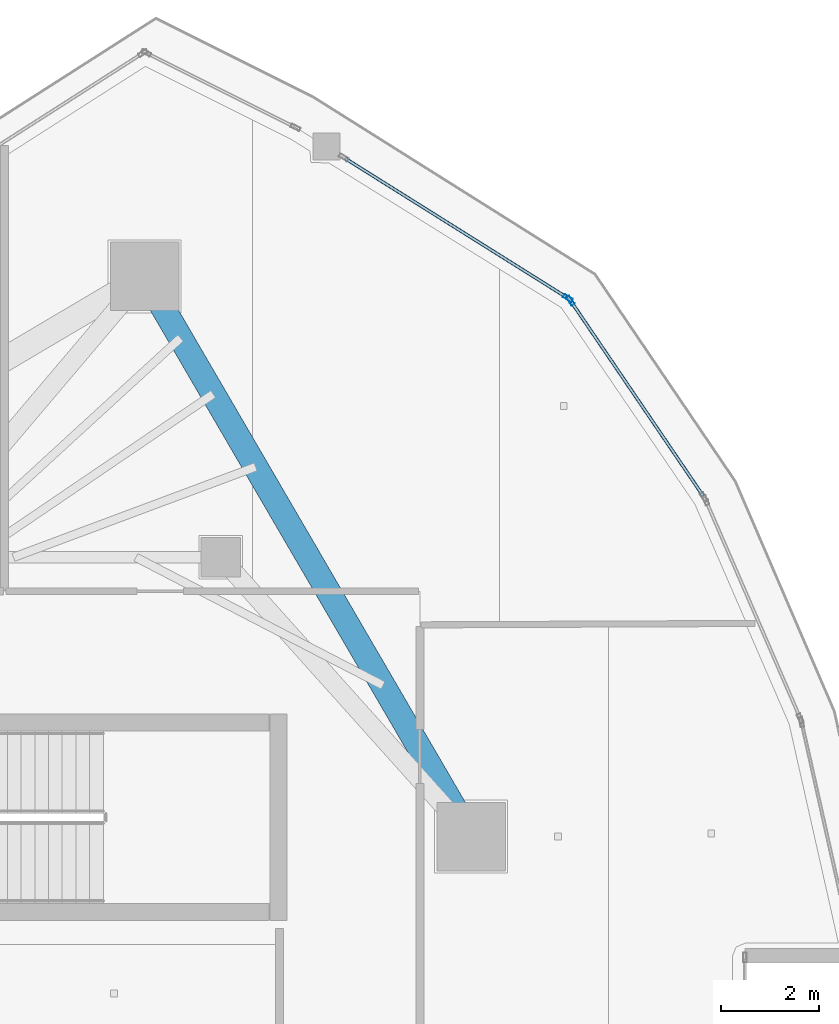
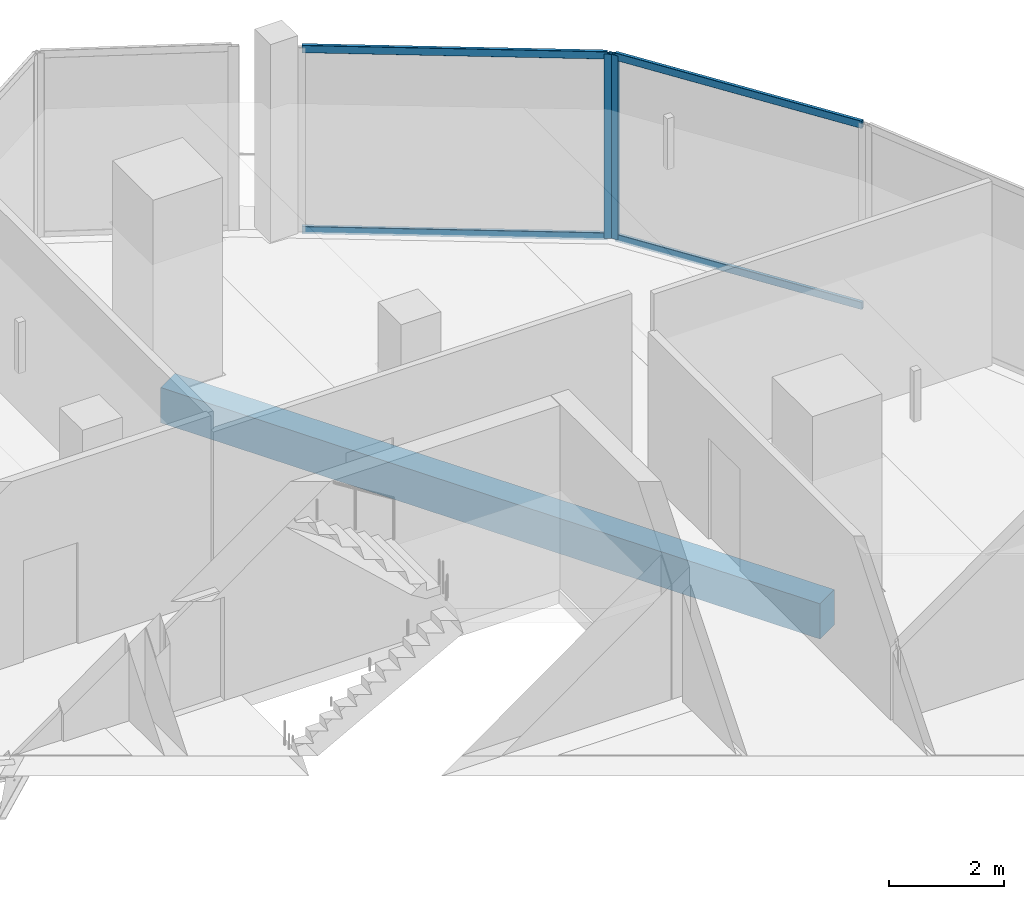
# One storey, part 12 of 23: 6 members, 1 beam, 2 elements without a shape of their own.
"""IFC4 building model written with IfcOpenShell, lengths in metres."""

from ifc_helpers import new_model, si_unit, direction, frame, origin, origin_2d, place, context, subcontext, project, spatial, rectangle, hollow_rectangle, extrude, material, layer, layer_set, material_profile, profile_set, type_object, element, aggregate, save


model = new_model("IFC4")

# Units and contexts
model_context = context("Model", 3, precision=1e-05, world=origin(), true_north=direction((0.0, 1.0)))
body_context = subcontext(model_context, "Body", "Model", "MODEL_VIEW")
ifc_project = project(units=[si_unit("LENGTHUNIT", "METRE"), si_unit("AREAUNIT", "SQUARE_METRE"), si_unit("VOLUMEUNIT", "CUBIC_METRE"), si_unit("PLANEANGLEUNIT", "RADIAN"), si_unit("MASSUNIT", "GRAM", prefix="KILO")], contexts=[model_context])

# Site, building, storey
site_placement = place(None, origin())
site = spatial("IfcSite", under=ifc_project, at=site_placement, CompositionType="ELEMENT")
building_placement = place(site_placement, origin())
building = spatial("IfcBuilding", under=site, at=building_placement, Name="Qorvath Tower", CompositionType="ELEMENT")
storey_placement = place(building_placement, frame((0.0, 0.0, 310.199951171875)))
storey = spatial("IfcBuildingStorey", under=building, at=storey_placement, Name="L72", CompositionType="ELEMENT", Elevation=310.199951171875)

# Beam
ifc_material_1 = material(Name="Concrete C45/55", Category="concrete")
ifc_material_profile_1 = material_profile(ifc_material_1, rectangle(XDim=0.5, YDim=0.75, at=origin_2d()), Name="RCB 750x500")
ifc_profile_set_1 = profile_set([ifc_material_profile_1], Name="Concrete C45/55")
beam_type = type_object("IfcBeamType", Name="BM-RCB3", PredefinedType="SPANDREL", material=ifc_profile_set_1)
beam_placement = place(storey_placement, frame((-12.0966796875, 5.7578125, -0.6650390625), z_axis=(-0.503502256692, 0.863993910572, 0.0), x_axis=(-0.863993910572, -0.503502256692, 0.0)))
element("IfcBeam", 1, at=beam_placement, inside=storey, type_object=beam_type, Name="Perimeter Loggia Frame Beam MC5-MC6 L72", PredefinedType="SPANDREL", context=body_context, shape_type="SweptSolid", body=[
    extrude(rectangle(XDim=0.5, YDim=0.75, at=origin_2d()), origin(), (0.0, 0.0, 1.0), 13.215087890625),
])

# Curtain wall, member
ifc_material_2 = material(Name="Anodised aluminium and triple low-E glass", Category="aluminium")
ifc_layer = layer(ifc_material_2, 0.179931640625)
ifc_layer_set = layer_set([ifc_layer], Name="CW-SYS-4")
curtain_wall_type = type_object("IfcCurtainWallType", Name="CW-SYS-4", PredefinedType="NOTDEFINED", material=ifc_layer_set)
curtain_wall_1_placement = place(storey_placement, origin())
curtain_wall_1 = element("IfcCurtainWall", 2, at=curtain_wall_1_placement, inside=storey, type_object=curtain_wall_type, Name="Curtain Wall CW-4 CW-T-L72-13.1", PredefinedType="NOTDEFINED")
ifc_material_3 = material(Name="Anodised aluminium 6063-T6", Category="aluminium")
ifc_material_profile_2 = material_profile(ifc_material_3, hollow_rectangle(XDim=0.074951171875, YDim=0.199951171875, WallThickness=0.00390625, InnerFilletRadius=0.00390625, OuterFilletRadius=0.008056640625, at=origin_2d()), Name="CWM 200x75")
ifc_profile_set_2 = profile_set([ifc_material_profile_2], Name="Anodised aluminium 6063-T6")
member_type_1 = type_object("IfcMemberType", Name="CWM-200", PredefinedType="MULLION", material=ifc_profile_set_2)
member_1_placement = place(storey_placement, frame((-10.07373046875, 16.681640625, 0.0), z_axis=(0.0, 0.0, 1.0), x_axis=(-0.827120049002, -0.562025288166, 0.0)))
member_1 = element("IfcMember", 3, at=member_1_placement, type_object=member_type_1, Name="CW-4 mullion 2", PredefinedType="MULLION", context=body_context, shape_type="SweptSolid", body=[
    extrude(hollow_rectangle(XDim=0.074951171875, YDim=0.199951171875, WallThickness=0.00390625, InnerFilletRadius=0.00390625, OuterFilletRadius=0.008056640625, at=origin_2d()), origin(), (0.0, 0.0, 1.0), 3.91015625),
])

curtain_wall_2_placement = place(storey_placement, origin())
curtain_wall_2 = element("IfcCurtainWall", 4, at=curtain_wall_2_placement, inside=storey, type_object=curtain_wall_type, Name="Curtain Wall CW-4 CW-T-L72-14.1", PredefinedType="NOTDEFINED")
member_2_placement = place(storey_placement, frame((-10.12646484375, 16.732421875, 0.0), z_axis=(0.0, 0.0, 1.0), x_axis=(-0.531336655238, -0.847160763256, 0.0)))
member_2 = element("IfcMember", 5, at=member_2_placement, type_object=member_type_1, Name="CW-4 mullion 1", PredefinedType="MULLION", context=body_context, shape_type="SweptSolid", body=[
    extrude(hollow_rectangle(XDim=0.074951171875, YDim=0.199951171875, WallThickness=0.00390625, InnerFilletRadius=0.00390625, OuterFilletRadius=0.008056640625, at=origin_2d()), origin(), (0.0, 0.0, 1.0), 3.91015625),
])

# Member
ifc_material_4 = material(Name="Anodised aluminium 6063-T6", Category="aluminium")
ifc_material_profile_3 = material_profile(ifc_material_4, hollow_rectangle(XDim=0.06494140625, YDim=0.159912109375, WallThickness=0.00341796875, InnerFilletRadius=0.00341796875, OuterFilletRadius=0.007080078125, at=origin_2d()), Name="CWT 160x65")
ifc_profile_set_3 = profile_set([ifc_material_profile_3], Name="Anodised aluminium 6063-T6")
member_type_2 = type_object("IfcMemberType", Name="CWT-160", PredefinedType="USERDEFINED", material=ifc_profile_set_3)
member_3_placement = place(storey_placement, frame((-7.372314453125, 12.7060546875, 0.032470703125), z_axis=(-0.562003325245, 0.827134972307, 0.0), x_axis=(-0.827134972307, -0.562003325245, 0.0)))
member_3 = element("IfcMember", 6, at=member_3_placement, type_object=member_type_2, Name="CW-4 transom 1.1", ObjectType="TRANSOM", PredefinedType="USERDEFINED", context=body_context, shape_type="SweptSolid", body=[
    extrude(hollow_rectangle(XDim=0.06494140625, YDim=0.159912109375, WallThickness=0.00341796875, InnerFilletRadius=0.00341796875, OuterFilletRadius=0.007080078125, at=origin_2d()), origin(), (0.0, 0.0, 1.0), 4.76904296875),
])

member_4_placement = place(storey_placement, frame((-7.372314453125, 12.7060546875, 3.877685546875), z_axis=(-0.562003325245, 0.827134972307, 0.0), x_axis=(-0.827134972307, -0.562003325245, 0.0)))
member_4 = element("IfcMember", 7, at=member_4_placement, type_object=member_type_2, Name="CW-4 transom 1.2", ObjectType="TRANSOM", PredefinedType="USERDEFINED", context=body_context, shape_type="SweptSolid", body=[
    extrude(hollow_rectangle(XDim=0.06494140625, YDim=0.159912109375, WallThickness=0.00341796875, InnerFilletRadius=0.00341796875, OuterFilletRadius=0.007080078125, at=origin_2d()), origin(), (0.0, 0.0, 1.0), 4.76904296875),
])

aggregate(curtain_wall_1, [member_1, member_3, member_4])

member_5_placement = place(storey_placement, frame((-10.158203125, 16.75244140625, 0.032470703125), z_axis=(-0.847156297026, 0.531343776108, 0.0), x_axis=(-0.531343776108, -0.847156297026, 0.0)))
member_5 = element("IfcMember", 8, at=member_5_placement, type_object=member_type_2, Name="CW-4 transom 1.1", ObjectType="TRANSOM", PredefinedType="USERDEFINED", context=body_context, shape_type="SweptSolid", body=[
    extrude(hollow_rectangle(XDim=0.06494140625, YDim=0.159912109375, WallThickness=0.00341796875, InnerFilletRadius=0.00341796875, OuterFilletRadius=0.007080078125, at=origin_2d()), origin(), (0.0, 0.0, 1.0), 5.317138671875),
])

member_6_placement = place(storey_placement, frame((-10.158203125, 16.75244140625, 3.877685546875), z_axis=(-0.847156297026, 0.531343776108, 0.0), x_axis=(-0.531343776108, -0.847156297026, 0.0)))
member_6 = element("IfcMember", 9, at=member_6_placement, type_object=member_type_2, Name="CW-4 transom 1.2", ObjectType="TRANSOM", PredefinedType="USERDEFINED", context=body_context, shape_type="SweptSolid", body=[
    extrude(hollow_rectangle(XDim=0.06494140625, YDim=0.159912109375, WallThickness=0.00341796875, InnerFilletRadius=0.00341796875, OuterFilletRadius=0.007080078125, at=origin_2d()), origin(), (0.0, 0.0, 1.0), 5.317138671875),
])

aggregate(curtain_wall_2, [member_2, member_5, member_6])

save(model, "model.ifc")
